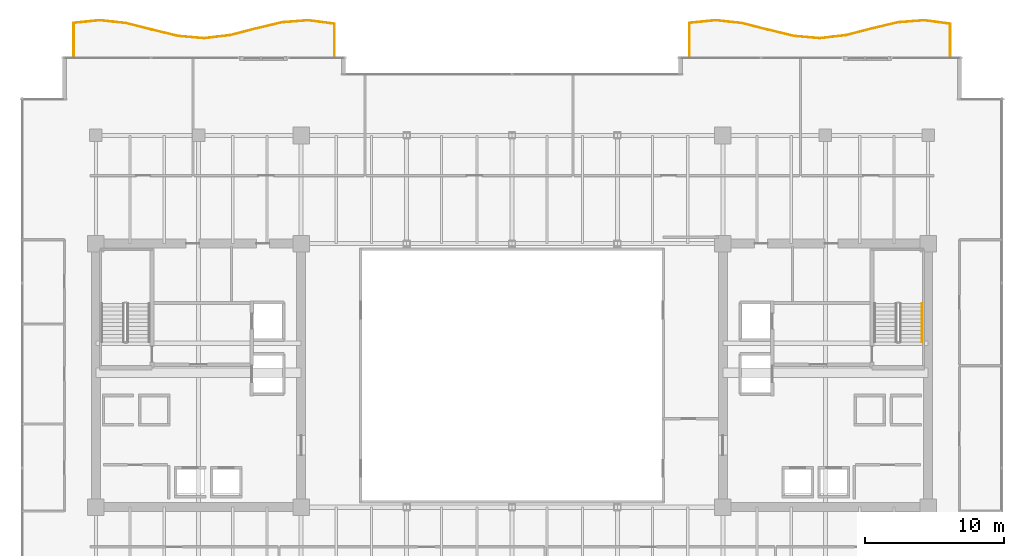
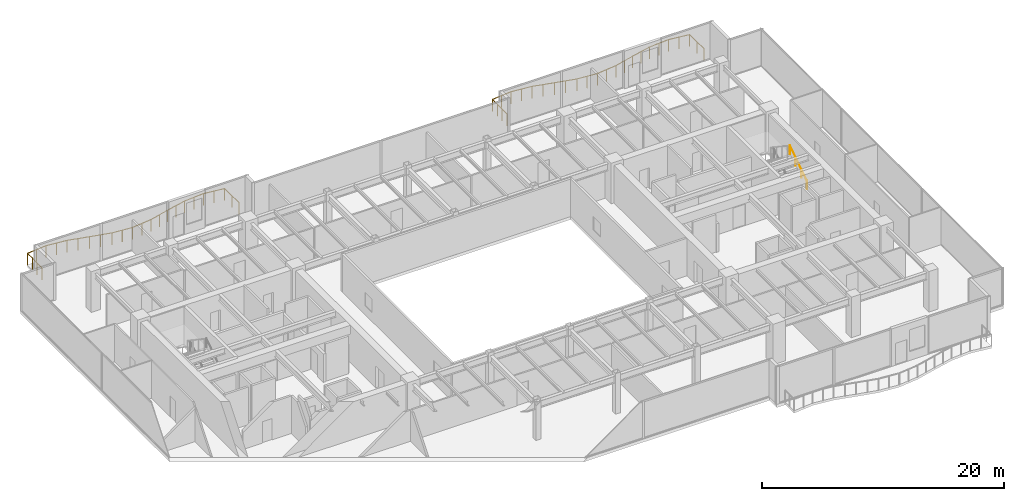
# One storey, part 30 of 30: 3 railings.
"""IFC4 building model written with IfcOpenShell, lengths in metres."""

from ifc_helpers import new_model, si_unit, direction, frame, origin, origin_2d, place, context, subcontext, project, spatial, circle, extrude, source, transform, mapped, material, type_object, type_shapes, element, save


model = new_model("IFC4")

# Units and contexts
model_context = context("Model", 3, precision=1e-05, world=origin(), true_north=direction((0.0, 1.0)))
body_context = subcontext(model_context, "Body", "Model", "MODEL_VIEW")
ifc_project = project(units=[si_unit("LENGTHUNIT", "METRE"), si_unit("AREAUNIT", "SQUARE_METRE"), si_unit("VOLUMEUNIT", "CUBIC_METRE"), si_unit("PLANEANGLEUNIT", "RADIAN"), si_unit("MASSUNIT", "GRAM", prefix="KILO")], contexts=[model_context])

# Site, building, storey
site_placement = place(None, origin())
site = spatial("IfcSite", under=ifc_project, at=site_placement, CompositionType="ELEMENT")
building_placement = place(site_placement, origin())
building = spatial("IfcBuilding", under=site, at=building_placement, Name="Haelvirn Gate Laboratories", CompositionType="ELEMENT")
storey_placement = place(building_placement, frame((0.0, 0.0, 113.300048828125)))
storey = spatial("IfcBuildingStorey", under=building, at=storey_placement, Name="L27", CompositionType="ELEMENT", Elevation=113.300048828125)

# Railings
ifc_material_1 = material(Name="Laminated safety glass & bronze stainless steel 316L", Category="steel")
railing_type_1 = type_object("IfcRailingType", Name="RLG-BAL-1200", PredefinedType="BALUSTRADE", material=ifc_material_1)
shared_shape_1 = source(origin(), body_context, "Body", "SweptSolid", [
    extrude(circle(Radius=0.02392578125, at=origin_2d()), frame((0.0, 0.0, 1.17578125), z_axis=(0.0, 1.0, 0.0), x_axis=(-1.0, 0.0, 0.0)), (0.0, 0.0, 1.0), 2.40966796875),
    extrude(circle(Radius=0.02392578125, at=origin_2d()), frame((0.0, 2.40966796875, 1.17578125), z_axis=(0.994921385933, 0.10065503372, 0.0), x_axis=(-0.10065503372, 0.994921385933, 0.0)), (0.0, 0.0, 1.0), 1.889404296875),
    extrude(circle(Radius=0.02392578125, at=origin_2d()), frame((1.8798828125, 2.599853515625, 1.17578125), z_axis=(0.994269522275, -0.106902371698, 0.0), x_axis=(0.106902371698, 0.994269522275, 0.0)), (0.0, 0.0, 1.0), 1.890869140625),
    extrude(circle(Radius=0.02392578125, at=origin_2d()), frame((3.760009765625, 2.397705078125, 1.17578125), z_axis=(0.969815635384, -0.243839359754, 0.0), x_axis=(0.243839359754, 0.969815635384, 0.0)), (0.0, 0.0, 1.0), 1.9384765625),
    extrude(circle(Radius=0.02392578125, at=origin_2d()), frame((5.639892578125, 1.925048828125, 1.17578125), z_axis=(0.971644887849, -0.23644494479, 0.0), x_axis=(0.23644494479, 0.971644887849, 0.0)), (0.0, 0.0, 1.0), 1.93505859375),
    extrude(circle(Radius=0.02392578125, at=origin_2d()), frame((7.52001953125, 1.467529296875, 1.17578125), z_axis=(0.996111840185, -0.088097683528, 0.0), x_axis=(0.088097683528, 0.996111840185, 0.0)), (0.0, 0.0, 1.0), 1.88720703125),
    extrude(circle(Radius=0.02392578125, at=origin_2d()), frame((9.39990234375, 1.30126953125, 1.17578125), z_axis=(0.992878668586, 0.119129968806, 0.0), x_axis=(-0.119129968806, 0.992878668586, 0.0)), (0.0, 0.0, 1.0), 1.8935546875),
    extrude(circle(Radius=0.02392578125, at=origin_2d()), frame((11.280029296875, 1.52685546875, 1.17578125), z_axis=(0.968795678739, 0.247860712612, 0.0), x_axis=(-0.247860712612, 0.968795678739, 0.0)), (0.0, 0.0, 1.0), 1.9404296875),
    extrude(circle(Radius=0.02392578125, at=origin_2d()), frame((13.159912109375, 2.0078125, 1.17578125), z_axis=(0.972992976677, 0.230834718658, 0.0), x_axis=(-0.230834718658, 0.972992976677, 0.0)), (0.0, 0.0, 1.0), 1.932373046875),
    extrude(circle(Radius=0.02392578125, at=origin_2d()), frame((15.0400390625, 2.453857421875, 1.17578125), z_axis=(0.997165403901, 0.075240662294, 0.0), x_axis=(-0.075240662294, 0.997165403901, 0.0)), (0.0, 0.0, 1.0), 1.88525390625),
    extrude(circle(Radius=0.02392578125, at=origin_2d()), frame((16.919921875, 2.595703125, 1.17578125), z_axis=(0.991392401811, -0.130924045272, 0.0), x_axis=(0.130924045272, 0.991392401811, 0.0)), (0.0, 0.0, 1.0), 1.896484375),
    extrude(circle(Radius=0.02392578125, at=origin_2d()), frame((18.800048828125, 2.347412109375, 1.17578125), z_axis=(0.0, -1.0, 0.0), x_axis=(1.0, 0.0, 0.0)), (0.0, 0.0, 1.0), 2.347412109375),
    extrude(circle(Radius=0.02099609375, at=origin_2d()), origin(), (0.0, 0.0, 1.0), 1.15185546875),
    extrude(circle(Radius=0.02099609375, at=origin_2d()), frame((0.0, 0.80322265625, 0.0)), (0.0, 0.0, 1.0), 1.15185546875),
    extrude(circle(Radius=0.02099609375, at=origin_2d()), frame((0.0, 1.6064453125, 0.0)), (0.0, 0.0, 1.0), 1.15185546875),
    extrude(circle(Radius=0.02099609375, at=origin_2d()), frame((0.0, 2.40966796875, 0.0)), (0.0, 0.0, 1.0), 1.15185546875),
    extrude(circle(Radius=0.02099609375, at=origin_2d()), frame((0.93994140625, 2.5048828125, 0.0)), (0.0, 0.0, 1.0), 1.15185546875),
    extrude(circle(Radius=0.02099609375, at=origin_2d()), frame((1.8798828125, 2.599853515625, 0.0)), (0.0, 0.0, 1.0), 1.15185546875),
    extrude(circle(Radius=0.02099609375, at=origin_2d()), frame((2.81982421875, 2.498779296875, 0.0)), (0.0, 0.0, 1.0), 1.15185546875),
    extrude(circle(Radius=0.02099609375, at=origin_2d()), frame((3.760009765625, 2.397705078125, 0.0)), (0.0, 0.0, 1.0), 1.15185546875),
    extrude(circle(Radius=0.02099609375, at=origin_2d()), frame((4.699951171875, 2.161376953125, 0.0)), (0.0, 0.0, 1.0), 1.15185546875),
    extrude(circle(Radius=0.02099609375, at=origin_2d()), frame((5.639892578125, 1.925048828125, 0.0)), (0.0, 0.0, 1.0), 1.15185546875),
    extrude(circle(Radius=0.02099609375, at=origin_2d()), frame((6.580078125, 1.6962890625, 0.0)), (0.0, 0.0, 1.0), 1.15185546875),
    extrude(circle(Radius=0.02099609375, at=origin_2d()), frame((7.52001953125, 1.467529296875, 0.0)), (0.0, 0.0, 1.0), 1.15185546875),
    extrude(circle(Radius=0.02099609375, at=origin_2d()), frame((8.4599609375, 1.38427734375, 0.0)), (0.0, 0.0, 1.0), 1.15185546875),
    extrude(circle(Radius=0.02099609375, at=origin_2d()), frame((9.39990234375, 1.30126953125, 0.0)), (0.0, 0.0, 1.0), 1.15185546875),
    extrude(circle(Radius=0.02099609375, at=origin_2d()), frame((10.33984375, 1.4140625, 0.0)), (0.0, 0.0, 1.0), 1.15185546875),
    extrude(circle(Radius=0.02099609375, at=origin_2d()), frame((11.280029296875, 1.52685546875, 0.0)), (0.0, 0.0, 1.0), 1.15185546875),
    extrude(circle(Radius=0.02099609375, at=origin_2d()), frame((12.219970703125, 1.767333984375, 0.0)), (0.0, 0.0, 1.0), 1.15185546875),
    extrude(circle(Radius=0.02099609375, at=origin_2d()), frame((13.159912109375, 2.0078125, 0.0)), (0.0, 0.0, 1.0), 1.15185546875),
    extrude(circle(Radius=0.02099609375, at=origin_2d()), frame((14.10009765625, 2.23095703125, 0.0)), (0.0, 0.0, 1.0), 1.15185546875),
    extrude(circle(Radius=0.02099609375, at=origin_2d()), frame((15.0400390625, 2.453857421875, 0.0)), (0.0, 0.0, 1.0), 1.15185546875),
    extrude(circle(Radius=0.02099609375, at=origin_2d()), frame((15.97998046875, 2.52490234375, 0.0)), (0.0, 0.0, 1.0), 1.15185546875),
    extrude(circle(Radius=0.02099609375, at=origin_2d()), frame((16.919921875, 2.595703125, 0.0)), (0.0, 0.0, 1.0), 1.15185546875),
    extrude(circle(Radius=0.02099609375, at=origin_2d()), frame((17.85986328125, 2.4716796875, 0.0)), (0.0, 0.0, 1.0), 1.15185546875),
    extrude(circle(Radius=0.02099609375, at=origin_2d()), frame((18.800048828125, 2.347412109375, 0.0)), (0.0, 0.0, 1.0), 1.15185546875),
    extrude(circle(Radius=0.02099609375, at=origin_2d()), frame((18.800048828125, 1.173828125, 0.0)), (0.0, 0.0, 1.0), 1.15185546875),
    extrude(circle(Radius=0.02099609375, at=origin_2d()), frame((18.800048828125, 0.0, 0.0)), (0.0, 0.0, 1.0), 1.15185546875),
])
railing_1_placement = place(storey_placement, frame((5.800048828125, 47.300048828125, 0.0)))
element("IfcRailing", 1, at=railing_1_placement, inside=storey, type_object=railing_type_1, Name="L27 Wave Balcony Balustrade WL-N", PredefinedType="BALUSTRADE", context=body_context, shape_type="MappedRepresentation", body=[
    mapped(shared_shape_1, transform((0.0, 0.0, 0.0), scale=1.0)),
])
shared_shape_2 = source(origin(), body_context, "Body", "SweptSolid", [
    extrude(circle(Radius=0.02392578125, at=origin_2d()), frame((0.0, 0.0, 1.17578125), z_axis=(0.0, 1.0, 0.0), x_axis=(-1.0, 0.0, 0.0)), (0.0, 0.0, 1.0), 2.40966796875),
    extrude(circle(Radius=0.02392578125, at=origin_2d()), frame((0.0, 2.40966796875, 1.17578125), z_axis=(0.994922694769, 0.100642095731, 0.0), x_axis=(-0.100642095731, 0.994922694769, 0.0)), (0.0, 0.0, 1.0), 1.8896484375),
    extrude(circle(Radius=0.02392578125, at=origin_2d()), frame((1.880126953125, 2.599853515625, 1.17578125), z_axis=(0.994268046517, -0.106916096431, 0.0), x_axis=(0.106916096431, 0.994268046517, 0.0)), (0.0, 0.0, 1.0), 1.890625),
    extrude(circle(Radius=0.02392578125, at=origin_2d()), frame((3.760009765625, 2.397705078125, 1.17578125), z_axis=(0.969823122706, -0.243809578699, 0.0), x_axis=(0.243809578699, 0.969823122706, 0.0)), (0.0, 0.0, 1.0), 1.938720703125),
    extrude(circle(Radius=0.02392578125, at=origin_2d()), frame((5.64013671875, 1.925048828125, 1.17578125), z_axis=(0.971637832794, -0.23647393489, 0.0), x_axis=(0.23647393489, 0.971637832794, 0.0)), (0.0, 0.0, 1.0), 1.934814453125),
    extrude(circle(Radius=0.02392578125, at=origin_2d()), frame((7.52001953125, 1.467529296875, 1.17578125), z_axis=(0.99611284402, -0.088086332525, 0.0), x_axis=(0.088086332525, 0.99611284402, 0.0)), (0.0, 0.0, 1.0), 1.887451171875),
    extrude(circle(Radius=0.02392578125, at=origin_2d()), frame((9.400146484375, 1.30126953125, 1.17578125), z_axis=(0.992876838487, 0.119145220618, 0.0), x_axis=(-0.119145220618, 0.992876838487, 0.0)), (0.0, 0.0, 1.0), 1.893310546875),
    extrude(circle(Radius=0.02392578125, at=origin_2d()), frame((11.280029296875, 1.52685546875, 1.17578125), z_axis=(0.968803406923, 0.247830504043, 0.0), x_axis=(-0.247830504043, 0.968803406923, 0.0)), (0.0, 0.0, 1.0), 1.940673828125),
    extrude(circle(Radius=0.02392578125, at=origin_2d()), frame((13.16015625, 2.0078125, 1.17578125), z_axis=(0.972986243114, 0.230863099502, 0.0), x_axis=(-0.230863099502, 0.972986243114, 0.0)), (0.0, 0.0, 1.0), 1.93212890625),
    extrude(circle(Radius=0.02392578125, at=origin_2d()), frame((15.0400390625, 2.453857421875, 1.17578125), z_axis=(0.99716613689, 0.075230947349, 0.0), x_axis=(-0.075230947349, 0.99716613689, 0.0)), (0.0, 0.0, 1.0), 1.885498046875),
    extrude(circle(Radius=0.02392578125, at=origin_2d()), frame((16.920166015625, 2.595703125, 1.17578125), z_axis=(0.991390194719, -0.130940756887, 0.0), x_axis=(0.130940756887, 0.991390194719, 0.0)), (0.0, 0.0, 1.0), 1.896240234375),
    extrude(circle(Radius=0.02392578125, at=origin_2d()), frame((18.800048828125, 2.347412109375, 1.17578125), z_axis=(0.0, -1.0, 0.0), x_axis=(1.0, 0.0, 0.0)), (0.0, 0.0, 1.0), 2.347412109375),
    extrude(circle(Radius=0.02099609375, at=origin_2d()), origin(), (0.0, 0.0, 1.0), 1.15185546875),
    extrude(circle(Radius=0.02099609375, at=origin_2d()), frame((0.0, 0.80322265625, 0.0)), (0.0, 0.0, 1.0), 1.15185546875),
    extrude(circle(Radius=0.02099609375, at=origin_2d()), frame((0.0, 1.6064453125, 0.0)), (0.0, 0.0, 1.0), 1.15185546875),
    extrude(circle(Radius=0.02099609375, at=origin_2d()), frame((0.0, 2.40966796875, 0.0)), (0.0, 0.0, 1.0), 1.15185546875),
    extrude(circle(Radius=0.02099609375, at=origin_2d()), frame((0.93994140625, 2.5048828125, 0.0)), (0.0, 0.0, 1.0), 1.15185546875),
    extrude(circle(Radius=0.02099609375, at=origin_2d()), frame((1.880126953125, 2.599853515625, 0.0)), (0.0, 0.0, 1.0), 1.15185546875),
    extrude(circle(Radius=0.02099609375, at=origin_2d()), frame((2.820068359375, 2.498779296875, 0.0)), (0.0, 0.0, 1.0), 1.15185546875),
    extrude(circle(Radius=0.02099609375, at=origin_2d()), frame((3.760009765625, 2.397705078125, 0.0)), (0.0, 0.0, 1.0), 1.15185546875),
    extrude(circle(Radius=0.02099609375, at=origin_2d()), frame((4.7001953125, 2.161376953125, 0.0)), (0.0, 0.0, 1.0), 1.15185546875),
    extrude(circle(Radius=0.02099609375, at=origin_2d()), frame((5.64013671875, 1.925048828125, 0.0)), (0.0, 0.0, 1.0), 1.15185546875),
    extrude(circle(Radius=0.02099609375, at=origin_2d()), frame((6.580078125, 1.6962890625, 0.0)), (0.0, 0.0, 1.0), 1.15185546875),
    extrude(circle(Radius=0.02099609375, at=origin_2d()), frame((7.52001953125, 1.467529296875, 0.0)), (0.0, 0.0, 1.0), 1.15185546875),
    extrude(circle(Radius=0.02099609375, at=origin_2d()), frame((8.4599609375, 1.38427734375, 0.0)), (0.0, 0.0, 1.0), 1.15185546875),
    extrude(circle(Radius=0.02099609375, at=origin_2d()), frame((9.400146484375, 1.30126953125, 0.0)), (0.0, 0.0, 1.0), 1.15185546875),
    extrude(circle(Radius=0.02099609375, at=origin_2d()), frame((10.340087890625, 1.4140625, 0.0)), (0.0, 0.0, 1.0), 1.15185546875),
    extrude(circle(Radius=0.02099609375, at=origin_2d()), frame((11.280029296875, 1.52685546875, 0.0)), (0.0, 0.0, 1.0), 1.15185546875),
    extrude(circle(Radius=0.02099609375, at=origin_2d()), frame((12.22021484375, 1.767333984375, 0.0)), (0.0, 0.0, 1.0), 1.15185546875),
    extrude(circle(Radius=0.02099609375, at=origin_2d()), frame((13.16015625, 2.0078125, 0.0)), (0.0, 0.0, 1.0), 1.15185546875),
    extrude(circle(Radius=0.02099609375, at=origin_2d()), frame((14.10009765625, 2.23095703125, 0.0)), (0.0, 0.0, 1.0), 1.15185546875),
    extrude(circle(Radius=0.02099609375, at=origin_2d()), frame((15.0400390625, 2.453857421875, 0.0)), (0.0, 0.0, 1.0), 1.15185546875),
    extrude(circle(Radius=0.02099609375, at=origin_2d()), frame((15.97998046875, 2.52490234375, 0.0)), (0.0, 0.0, 1.0), 1.15185546875),
    extrude(circle(Radius=0.02099609375, at=origin_2d()), frame((16.920166015625, 2.595703125, 0.0)), (0.0, 0.0, 1.0), 1.15185546875),
    extrude(circle(Radius=0.02099609375, at=origin_2d()), frame((17.860107421875, 2.4716796875, 0.0)), (0.0, 0.0, 1.0), 1.15185546875),
    extrude(circle(Radius=0.02099609375, at=origin_2d()), frame((18.800048828125, 2.347412109375, 0.0)), (0.0, 0.0, 1.0), 1.15185546875),
    extrude(circle(Radius=0.02099609375, at=origin_2d()), frame((18.800048828125, 1.173828125, 0.0)), (0.0, 0.0, 1.0), 1.15185546875),
    extrude(circle(Radius=0.02099609375, at=origin_2d()), frame((18.800048828125, 0.0, 0.0)), (0.0, 0.0, 1.0), 1.15185546875),
])
type_shapes(railing_type_1, [shared_shape_1, shared_shape_2])
railing_2_placement = place(storey_placement, frame((50.199951171875, 47.300048828125, 0.0)))
element("IfcRailing", 2, at=railing_2_placement, inside=storey, type_object=railing_type_1, Name="L27 Wave Balcony Balustrade EL-N", PredefinedType="BALUSTRADE", context=body_context, shape_type="MappedRepresentation", body=[
    mapped(shared_shape_2, transform((0.0, 0.0, 0.0), scale=1.0)),
])
ifc_material_2 = material(Name="Brushed stainless steel 316L", Category="steel")
railing_type_2 = type_object("IfcRailingType", Name="RL-HAND-920", PredefinedType="HANDRAIL", material=ifc_material_2)
shared_shape_3 = source(origin(), body_context, "Body", "SweptSolid", [
    extrude(circle(Radius=0.02392578125, at=origin_2d()), frame((0.0, 0.0, 0.8759765625), z_axis=(0.0, 0.832452072856, 0.554097055034), x_axis=(-1.0, 0.0, 0.0)), (0.0, 0.0, 1.0), 3.363525390625),
    extrude(circle(Radius=0.02099609375, at=origin_2d()), origin(), (0.0, 0.0, 1.0), 0.851806640625),
    extrude(circle(Radius=0.02099609375, at=origin_2d()), frame((0.0, 0.933349609375, 0.621337890625)), (0.0, 0.0, 1.0), 0.851806640625),
    extrude(circle(Radius=0.02099609375, at=origin_2d()), frame((0.0, 1.86669921875, 1.242431640625)), (0.0, 0.0, 1.0), 0.851806640625),
    extrude(circle(Radius=0.02099609375, at=origin_2d()), frame((0.0, 2.800048828125, 1.86376953125)), (0.0, 0.0, 1.0), 0.851806640625),
])
type_shapes(railing_type_2, [shared_shape_3])
railing_3_placement = place(storey_placement, frame((66.949951171875, 26.699951171875, 0.186279296875)))
element("IfcRailing", 3, at=railing_3_placement, inside=storey, type_object=railing_type_2, Name="L27 ST2 stair handrail 1", PredefinedType="HANDRAIL", context=body_context, shape_type="MappedRepresentation", body=[
    mapped(shared_shape_3, transform((0.0, 0.0, 0.0), scale=1.0)),
])

save(model, "model.ifc")
